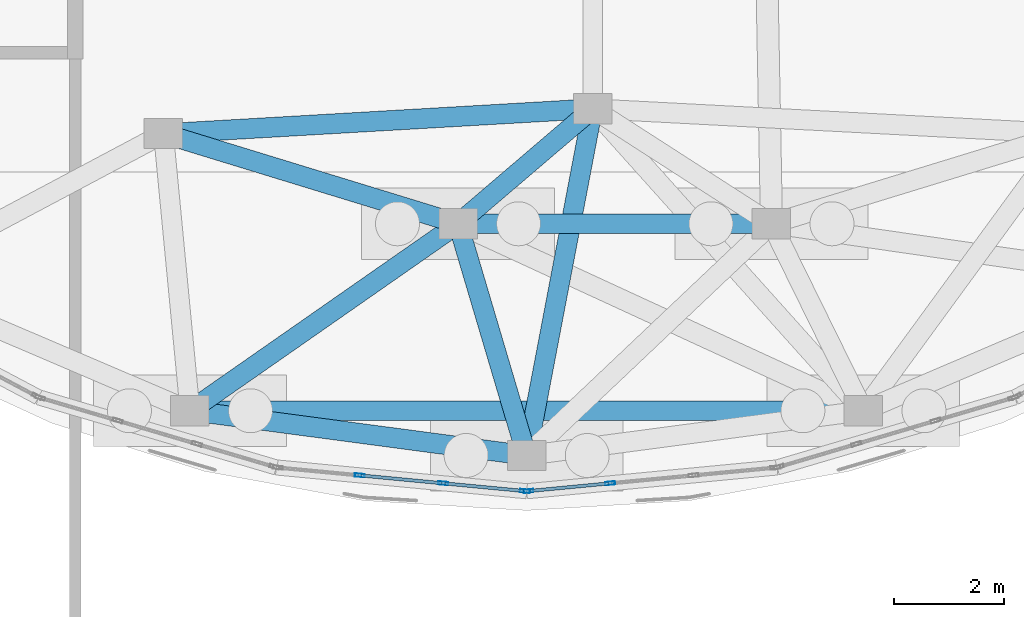
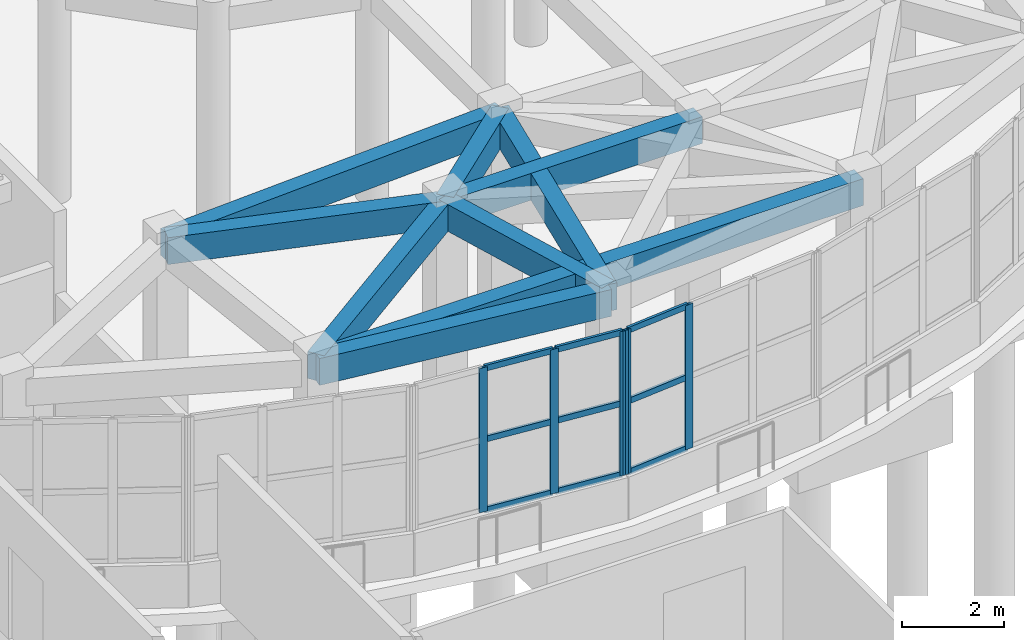
# One storey, part 9 of 96: 14 members, 9 beams, 2 elements without a shape of their own.
"""IFC4 building model written with IfcOpenShell, lengths in metres."""

from ifc_helpers import new_model, si_unit, direction, frame, origin, origin_2d, place, context, subcontext, project, spatial, rectangle, hollow_rectangle, extrude, material, layer, layer_set, material_profile, profile_set, type_object, element, aggregate, save


model = new_model("IFC4")

# Units and contexts
model_context = context("Model", 3, precision=1e-05, world=origin(), true_north=direction((0.0, 1.0)))
body_context = subcontext(model_context, "Body", "Model", "MODEL_VIEW")
ifc_project = project(units=[si_unit("LENGTHUNIT", "METRE"), si_unit("AREAUNIT", "SQUARE_METRE"), si_unit("VOLUMEUNIT", "CUBIC_METRE"), si_unit("PLANEANGLEUNIT", "RADIAN"), si_unit("MASSUNIT", "GRAM", prefix="KILO")], contexts=[model_context])

# Site, building, storey
site_placement = place(None, origin())
site = spatial("IfcSite", under=ifc_project, at=site_placement, CompositionType="ELEMENT")
building_placement = place(site_placement, origin())
building = spatial("IfcBuilding", under=site, at=building_placement, Name="Pelvatis Terrace Science Centre", CompositionType="ELEMENT")
storey_placement = place(building_placement, origin())
storey = spatial("IfcBuildingStorey", under=building, at=storey_placement, Name="L00", CompositionType="ELEMENT", Elevation=0.0)

# Curtain wall, members
ifc_material_1 = material(Name="Bronze-anodised aluminium and laminated glass", Category="aluminium")
ifc_layer = layer(ifc_material_1, 0.179931640625)
ifc_layer_set = layer_set([ifc_layer], Name="Bronze-anodised aluminium and laminated glass")
curtain_wall_type = type_object("IfcCurtainWallType", Name="CW-RIBBON-A", PredefinedType="NOTDEFINED", material=ifc_layer_set)
curtain_wall_1_placement = place(storey_placement, origin())
curtain_wall_1 = element("IfcCurtainWall", 1, at=curtain_wall_1_placement, inside=storey, type_object=curtain_wall_type, Name="Ribbon curtain wall CW-014 (L00)", PredefinedType="NOTDEFINED")
ifc_material_2 = material(Name="Bronze-anodised aluminium 6063-T6", Category="aluminium")
ifc_material_profile_1 = material_profile(ifc_material_2, hollow_rectangle(XDim=0.06005859375, YDim=0.179931640625, WallThickness=0.00390625, at=origin_2d()), Name="ALU-MUL 60x180")
ifc_profile_set_1 = profile_set([ifc_material_profile_1], Name="Bronze-anodised aluminium 6063-T6")
member_type_1 = type_object("IfcMemberType", Name="CWM-60x180", PredefinedType="MULLION", material=ifc_profile_set_1)
member_1_placement = place(storey_placement, frame((42.566162109375, 17.23828125, 1.02001953125), z_axis=(0.0, 0.0, 1.0), x_axis=(0.094616036521, 0.995513840001, 0.0)))
member_1 = element("IfcMember", 2, at=member_1_placement, type_object=member_type_1, Name="CW-014 mullion 2", PredefinedType="MULLION", context=body_context, shape_type="SweptSolid", body=[
    extrude(hollow_rectangle(XDim=0.06005859375, YDim=0.179931640625, WallThickness=0.00390625, at=origin_2d()), origin(), (0.0, 0.0, 1.0), 3.43994140625),
])
member_2_placement = place(storey_placement, frame((44.083251953125, 17.09423828125, 1.02001953125), z_axis=(0.0, 0.0, 1.0), x_axis=(0.094616036521, 0.995513840001, 0.0)))
member_2 = element("IfcMember", 3, at=member_2_placement, type_object=member_type_1, Name="CW-014 mullion 3", PredefinedType="MULLION", context=body_context, shape_type="SweptSolid", body=[
    extrude(hollow_rectangle(XDim=0.06005859375, YDim=0.179931640625, WallThickness=0.00390625, at=origin_2d()), origin(), (0.0, 0.0, 1.0), 3.43994140625),
])
member_3_placement = place(storey_placement, frame((45.570068359375, 16.952880859375, 1.02001953125), z_axis=(0.0, 0.0, 1.0), x_axis=(0.094616036521, 0.995513840001, 0.0)))
member_3 = element("IfcMember", 4, at=member_3_placement, type_object=member_type_1, Name="CW-014 mullion 4", PredefinedType="MULLION", context=body_context, shape_type="SweptSolid", body=[
    extrude(hollow_rectangle(XDim=0.06005859375, YDim=0.179931640625, WallThickness=0.00390625, at=origin_2d()), origin(), (0.0, 0.0, 1.0), 3.43994140625),
])

curtain_wall_2_placement = place(storey_placement, origin())
curtain_wall_2 = element("IfcCurtainWall", 5, at=curtain_wall_2_placement, inside=storey, type_object=curtain_wall_type, Name="Ribbon curtain wall CW-015 (L00)", PredefinedType="NOTDEFINED")
member_4_placement = place(storey_placement, frame((45.6298828125, 16.952880859375, 1.02001953125), z_axis=(0.0, 0.0, 1.0), x_axis=(-0.094616036521, 0.995513840001, 0.0)))
member_4 = element("IfcMember", 6, at=member_4_placement, type_object=member_type_1, Name="CW-015 mullion 1", PredefinedType="MULLION", context=body_context, shape_type="SweptSolid", body=[
    extrude(hollow_rectangle(XDim=0.06005859375, YDim=0.179931640625, WallThickness=0.00390625, at=origin_2d()), origin(), (0.0, 0.0, 1.0), 3.43994140625),
])
member_5_placement = place(storey_placement, frame((47.116943359375, 17.09423828125, 1.02001953125), z_axis=(0.0, 0.0, 1.0), x_axis=(-0.094616036521, 0.995513840001, 0.0)))
member_5 = element("IfcMember", 7, at=member_5_placement, type_object=member_type_1, Name="CW-015 mullion 2", PredefinedType="MULLION", context=body_context, shape_type="SweptSolid", body=[
    extrude(hollow_rectangle(XDim=0.06005859375, YDim=0.179931640625, WallThickness=0.00390625, at=origin_2d()), origin(), (0.0, 0.0, 1.0), 3.43994140625),
])

# Member
ifc_material_3 = material(Name="Bronze-anodised aluminium 6063-T6", Category="aluminium")
ifc_material_profile_2 = material_profile(ifc_material_3, hollow_rectangle(XDim=0.06005859375, YDim=0.139892578125, WallThickness=0.00390625, at=origin_2d()), Name="ALU-TRN 60x140")
ifc_profile_set_2 = profile_set([ifc_material_profile_2], Name="Bronze-anodised aluminium 6063-T6")
member_type_2 = type_object("IfcMemberType", Name="CWT-60x140", PredefinedType="USERDEFINED", material=ifc_profile_set_2)
member_6_placement = place(storey_placement, frame((42.59619140625, 17.235595703125, 1.050048828125), z_axis=(0.995501468141, -0.094746118282, 0.0), x_axis=(0.094746118282, 0.995501468141, 0.0)))
member_6 = element("IfcMember", 8, at=member_6_placement, type_object=member_type_2, Name="CW-014 transom 2.1", ObjectType="TRANSOM", PredefinedType="USERDEFINED", context=body_context, shape_type="SweptSolid", body=[
    extrude(hollow_rectangle(XDim=0.06005859375, YDim=0.139892578125, WallThickness=0.00390625, at=origin_2d()), origin(), (0.0, 0.0, 1.0), 1.463623046875),
])

member_7_placement = place(storey_placement, frame((42.59619140625, 17.235595703125, 2.739990234375), z_axis=(0.995501468141, -0.094746118282, 0.0), x_axis=(0.094746118282, 0.995501468141, 0.0)))
member_7 = element("IfcMember", 9, at=member_7_placement, type_object=member_type_2, Name="CW-014 transom 2.2", ObjectType="TRANSOM", PredefinedType="USERDEFINED", context=body_context, shape_type="SweptSolid", body=[
    extrude(hollow_rectangle(XDim=0.06005859375, YDim=0.139892578125, WallThickness=0.00390625, at=origin_2d()), origin(), (0.0, 0.0, 1.0), 1.463623046875),
])

member_8_placement = place(storey_placement, frame((42.59619140625, 17.235595703125, 4.429931640625), z_axis=(0.995501468141, -0.094746118282, 0.0), x_axis=(0.094746118282, 0.995501468141, 0.0)))
member_8 = element("IfcMember", 10, at=member_8_placement, type_object=member_type_2, Name="CW-014 transom 2.3", ObjectType="TRANSOM", PredefinedType="USERDEFINED", context=body_context, shape_type="SweptSolid", body=[
    extrude(hollow_rectangle(XDim=0.06005859375, YDim=0.139892578125, WallThickness=0.00390625, at=origin_2d()), origin(), (0.0, 0.0, 1.0), 1.463623046875),
])

member_9_placement = place(storey_placement, frame((44.113037109375, 17.09130859375, 1.050048828125), z_axis=(0.99550770977, -0.094680514306, 0.0), x_axis=(0.094680514306, 0.99550770977, 0.0)))
member_9 = element("IfcMember", 11, at=member_9_placement, type_object=member_type_2, Name="CW-014 transom 3.1", ObjectType="TRANSOM", PredefinedType="USERDEFINED", context=body_context, shape_type="SweptSolid", body=[
    extrude(hollow_rectangle(XDim=0.06005859375, YDim=0.139892578125, WallThickness=0.00390625, at=origin_2d()), origin(), (0.0, 0.0, 1.0), 1.43359375),
])

member_10_placement = place(storey_placement, frame((44.113037109375, 17.09130859375, 2.739990234375), z_axis=(0.99550770977, -0.094680514306, 0.0), x_axis=(0.094680514306, 0.99550770977, 0.0)))
member_10 = element("IfcMember", 12, at=member_10_placement, type_object=member_type_2, Name="CW-014 transom 3.2", ObjectType="TRANSOM", PredefinedType="USERDEFINED", context=body_context, shape_type="SweptSolid", body=[
    extrude(hollow_rectangle(XDim=0.06005859375, YDim=0.139892578125, WallThickness=0.00390625, at=origin_2d()), origin(), (0.0, 0.0, 1.0), 1.43359375),
])

member_11_placement = place(storey_placement, frame((44.113037109375, 17.09130859375, 4.429931640625), z_axis=(0.99550770977, -0.094680514306, 0.0), x_axis=(0.094680514306, 0.99550770977, 0.0)))
member_11 = element("IfcMember", 13, at=member_11_placement, type_object=member_type_2, Name="CW-014 transom 3.3", ObjectType="TRANSOM", PredefinedType="USERDEFINED", context=body_context, shape_type="SweptSolid", body=[
    extrude(hollow_rectangle(XDim=0.06005859375, YDim=0.139892578125, WallThickness=0.00390625, at=origin_2d()), origin(), (0.0, 0.0, 1.0), 1.43359375),
])

aggregate(curtain_wall_1, [member_1, member_2, member_3, member_6, member_7, member_8, member_9, member_10, member_11])

member_12_placement = place(storey_placement, frame((45.65966796875, 16.95556640625, 1.050048828125), z_axis=(0.99550770977, 0.094680514306, 0.0), x_axis=(-0.094680514306, 0.99550770977, 0.0)))
member_12 = element("IfcMember", 14, at=member_12_placement, type_object=member_type_2, Name="CW-015 transom 1.1", ObjectType="TRANSOM", PredefinedType="USERDEFINED", context=body_context, shape_type="SweptSolid", body=[
    extrude(hollow_rectangle(XDim=0.06005859375, YDim=0.139892578125, WallThickness=0.00390625, at=origin_2d()), origin(), (0.0, 0.0, 1.0), 1.43359375),
])

member_13_placement = place(storey_placement, frame((45.65966796875, 16.95556640625, 2.739990234375), z_axis=(0.99550770977, 0.094680514306, 0.0), x_axis=(-0.094680514306, 0.99550770977, 0.0)))
member_13 = element("IfcMember", 15, at=member_13_placement, type_object=member_type_2, Name="CW-015 transom 1.2", ObjectType="TRANSOM", PredefinedType="USERDEFINED", context=body_context, shape_type="SweptSolid", body=[
    extrude(hollow_rectangle(XDim=0.06005859375, YDim=0.139892578125, WallThickness=0.00390625, at=origin_2d()), origin(), (0.0, 0.0, 1.0), 1.43359375),
])

member_14_placement = place(storey_placement, frame((45.65966796875, 16.95556640625, 4.429931640625), z_axis=(0.99550770977, 0.094680514306, 0.0), x_axis=(-0.094680514306, 0.99550770977, 0.0)))
member_14 = element("IfcMember", 16, at=member_14_placement, type_object=member_type_2, Name="CW-015 transom 1.3", ObjectType="TRANSOM", PredefinedType="USERDEFINED", context=body_context, shape_type="SweptSolid", body=[
    extrude(hollow_rectangle(XDim=0.06005859375, YDim=0.139892578125, WallThickness=0.00390625, at=origin_2d()), origin(), (0.0, 0.0, 1.0), 1.43359375),
])

aggregate(curtain_wall_2, [member_4, member_5, member_12, member_13, member_14])

# Beams
ifc_material_4 = material(Name="Concrete C35/45", Category="concrete")
ifc_material_profile_3 = material_profile(ifc_material_4, rectangle(XDim=0.360107421875, YDim=0.639892578125, at=origin_2d()), Name="RC-SPN 360x640")
ifc_profile_set_3 = profile_set([ifc_material_profile_3], Name="Concrete C35/45")
beam_type = type_object("IfcBeamType", Name="SPN-RC-360x640", PredefinedType="SPANDREL", material=ifc_profile_set_3)
beam_1_placement = place(storey_placement, frame((39.0, 23.44873046875, 4.820068359375), z_axis=(0.95617703215, -0.292789144589, 0.0), x_axis=(0.292789144589, 0.95617703215, 0.0)))
element("IfcBeam", 17, at=beam_1_placement, inside=storey, type_object=beam_type, Name="Spandrel SP-L00-2344", PredefinedType="SPANDREL", context=body_context, shape_type="SweptSolid", body=[
    extrude(rectangle(XDim=0.360107421875, YDim=0.639892578125, at=origin_2d()), origin(), (0.0, 0.0, 1.0), 5.59765625),
])
beam_2_placement = place(storey_placement, frame((39.0, 23.44873046875, 4.820068359375), z_axis=(0.998331326778, 0.057745666277, 0.0), x_axis=(-0.057745666277, 0.998331326778, 0.0)))
element("IfcBeam", 18, at=beam_2_placement, inside=storey, type_object=beam_type, Name="Spandrel SP-L00-2347", PredefinedType="SPANDREL", context=body_context, shape_type="SweptSolid", body=[
    extrude(rectangle(XDim=0.360107421875, YDim=0.639892578125, at=origin_2d()), origin(), (0.0, 0.0, 1.0), 7.81298828125),
])
beam_3_placement = place(storey_placement, frame((44.352294921875, 21.809814453125, 4.820068359375), z_axis=(1.0, 0.0, 0.0), x_axis=(0.0, 1.0, 0.0)))
element("IfcBeam", 19, at=beam_3_placement, inside=storey, type_object=beam_type, Name="Spandrel SP-L00-2348", PredefinedType="SPANDREL", context=body_context, shape_type="SweptSolid", body=[
    extrude(rectangle(XDim=0.360107421875, YDim=0.639892578125, at=origin_2d()), origin(), (0.0, 0.0, 1.0), 5.695556640625),
])
beam_4_placement = place(storey_placement, frame((44.352294921875, 21.809814453125, 4.820068359375), z_axis=(-0.820209945771, -0.572062623197, 0.0), x_axis=(0.572062623197, -0.820209945771, 0.0)))
element("IfcBeam", 20, at=beam_4_placement, inside=storey, type_object=beam_type, Name="Spandrel SP-L00-2349", PredefinedType="SPANDREL", context=body_context, shape_type="SweptSolid", body=[
    extrude(rectangle(XDim=0.360107421875, YDim=0.639892578125, at=origin_2d()), origin(), (0.0, 0.0, 1.0), 5.9384765625),
])
beam_5_placement = place(storey_placement, frame((44.352294921875, 21.809814453125, 4.820068359375), z_axis=(0.28418866657, -0.958768377552, 0.0), x_axis=(0.958768377552, 0.28418866657, 0.0)))
element("IfcBeam", 21, at=beam_5_placement, inside=storey, type_object=beam_type, Name="Spandrel SP-L00-2350", PredefinedType="SPANDREL", context=body_context, shape_type="SweptSolid", body=[
    extrude(rectangle(XDim=0.360107421875, YDim=0.639892578125, at=origin_2d()), origin(), (0.0, 0.0, 1.0), 4.390869140625),
])
beam_6_placement = place(storey_placement, frame((44.352294921875, 21.809814453125, 4.820068359375), z_axis=(0.760481362728, 0.649359759258, 0.0), x_axis=(-0.649359759258, 0.760481362728, 0.0)))
element("IfcBeam", 22, at=beam_6_placement, inside=storey, type_object=beam_type, Name="Spandrel SP-L00-2352", PredefinedType="SPANDREL", context=body_context, shape_type="SweptSolid", body=[
    extrude(rectangle(XDim=0.360107421875, YDim=0.639892578125, at=origin_2d()), origin(), (0.0, 0.0, 1.0), 3.21875),
])
beam_7_placement = place(storey_placement, frame((39.4814453125, 18.41259765625, 4.820068359375), z_axis=(0.991298231234, -0.131635165332, 0.0), x_axis=(0.131635165332, 0.991298231234, 0.0)))
element("IfcBeam", 23, at=beam_7_placement, inside=storey, type_object=beam_type, Name="Spandrel SP-L00-2381", PredefinedType="SPANDREL", context=body_context, shape_type="SweptSolid", body=[
    extrude(rectangle(XDim=0.360107421875, YDim=0.639892578125, at=origin_2d()), origin(), (0.0, 0.0, 1.0), 6.17236328125),
])
beam_8_placement = place(storey_placement, frame((39.4814453125, 18.41259765625, 4.820068359375), z_axis=(1.0, 0.0, 0.0), x_axis=(0.0, 1.0, 0.0)))
element("IfcBeam", 24, at=beam_8_placement, inside=storey, type_object=beam_type, Name="Spandrel SP-L00-2382", PredefinedType="SPANDREL", context=body_context, shape_type="SweptSolid", body=[
    extrude(rectangle(XDim=0.360107421875, YDim=0.639892578125, at=origin_2d()), origin(), (0.0, 0.0, 1.0), 12.237060546875),
])
beam_9_placement = place(storey_placement, frame((45.60009765625, 17.60009765625, 4.820068359375), z_axis=(0.187110358537, 0.982338899631, 0.0), x_axis=(-0.982338899631, 0.187110358537, 0.0)))
element("IfcBeam", 25, at=beam_9_placement, inside=storey, type_object=beam_type, Name="Spandrel SP-L00-2384", PredefinedType="SPANDREL", context=body_context, shape_type="SweptSolid", body=[
    extrude(rectangle(XDim=0.360107421875, YDim=0.639892578125, at=origin_2d()), origin(), (0.0, 0.0, 1.0), 6.4130859375),
])

save(model, "model.ifc")
